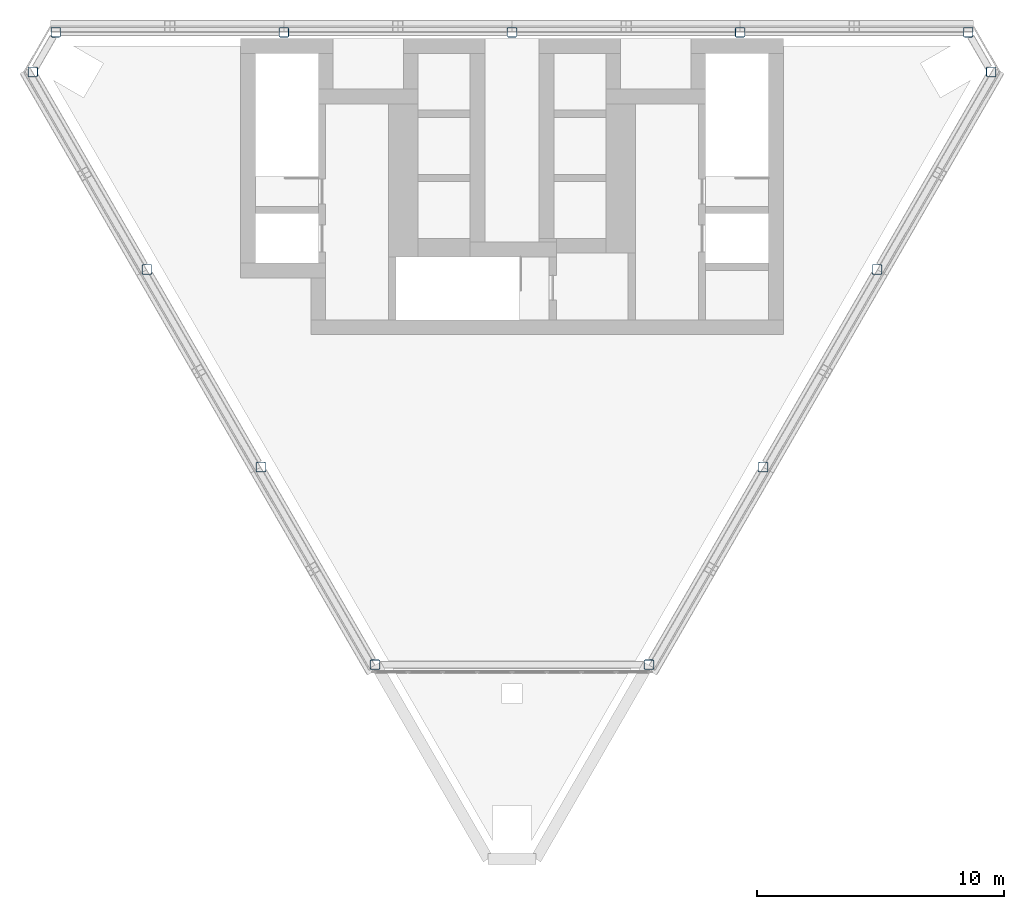
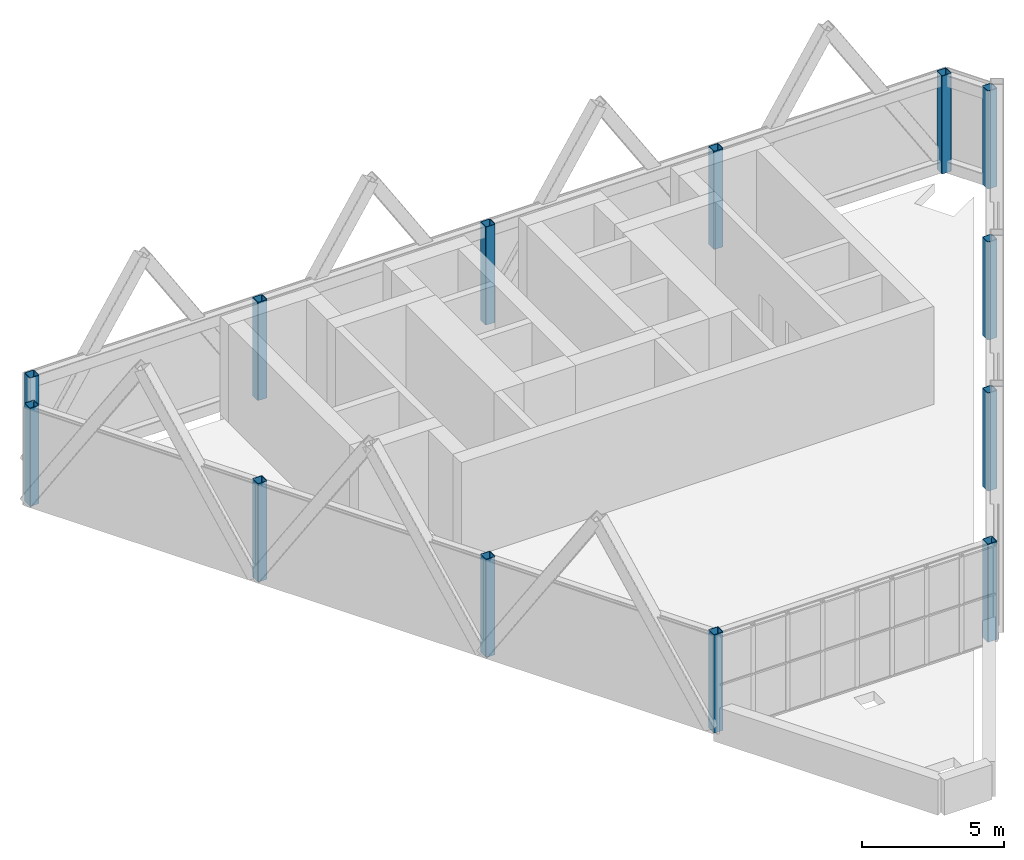
# One storey, part 1 of 5: 13 columns.
"""IFC4 building model written with IfcOpenShell, lengths in metres."""

from ifc_helpers import new_model, si_unit, direction, frame, origin, origin_2d, place, context, subcontext, project, spatial, hollow_rectangle, extrude, material, material_profile, profile_set, type_object, element, save


model = new_model("IFC4")

# Units and contexts
model_context = context("Model", 3, precision=1e-05, world=origin(), true_north=direction((0.0, 1.0)))
body_context = subcontext(model_context, "Body", "Model", "MODEL_VIEW")
ifc_project = project(units=[si_unit("LENGTHUNIT", "METRE"), si_unit("AREAUNIT", "SQUARE_METRE"), si_unit("VOLUMEUNIT", "CUBIC_METRE"), si_unit("PLANEANGLEUNIT", "RADIAN"), si_unit("MASSUNIT", "GRAM", prefix="KILO")], contexts=[model_context])

# Site, building, storey
site_placement = place(None, origin())
site = spatial("IfcSite", under=ifc_project, at=site_placement, CompositionType="ELEMENT")
building_placement = place(site_placement, origin())
building = spatial("IfcBuilding", under=site, at=building_placement, Name="Aloe Facet Convention Tower", CompositionType="ELEMENT")
storey_placement = place(building_placement, frame((0.0, 0.0, 285.5)))
storey = spatial("IfcBuildingStorey", under=building, at=storey_placement, Name="C1", CompositionType="ELEMENT", Elevation=285.5)

# Columns
ifc_material = material(Name="Steel S355, bronze oxide finish", Category="steel")
ifc_material_profile = material_profile(ifc_material, hollow_rectangle(XDim=0.39990234375, YDim=0.39990234375, WallThickness=0.02490234375, InnerFilletRadius=0.02490234375, OuterFilletRadius=0.050048828125, at=origin_2d()), Name="SHS 400x400x25")
ifc_profile_set = profile_set([ifc_material_profile], Name="Steel S355, bronze oxide finish")
column_type = type_object("IfcColumnType", Name="STW-CROWN FRAME POST", PredefinedType="COLUMN", material=ifc_profile_set)
for number, where, z_axis, x_axis, name in (
    (1, (98.486083984375, 134.800048828125, 0.0), (0.0, 0.0, 1.0), (1.0, 0.0, 0.0), "Crown frame post CF-P-N1-C1"),
    (2, (89.2431640625, 134.800048828125, 0.0), (0.0, 0.0, 1.0), (1.0, 0.0, 0.0), "Crown frame post CF-P-N2-C1"),
    (3, (80.0, 134.800048828125, 0.0), (0.0, 0.0, 1.0), (1.0, 0.0, 0.0), "Crown frame post CF-P-N3-C1"),
    (4, (70.7568359375, 134.800048828125, 0.0), (0.0, 0.0, 1.0), (1.0, 0.0, 0.0), "Crown frame post CF-P-N4-C1"),
    (5, (61.513916015625, 134.800048828125, 0.0), (0.0, 0.0, 1.0), (1.0, 0.0, 0.0), "Crown frame post CF-P-N5-C1"),
    (6, (60.587158203125, 133.19482421875, 0.0), (0.0, 0.0, 1.0), (1.0, 0.0, 0.0), "Crown frame post CF-P-WSW1-C1"),
    (7, (65.20849609375, 125.18994140625, 0.0), (0.0, 0.0, 1.0), (1.0, 0.0, 0.0), "Crown frame post CF-P-WSW2-C1"),
    (8, (69.830078125, 117.185302734375, 0.0), (0.0, 0.0, 1.0), (1.0, 0.0, 0.0), "Crown frame post CF-P-WSW3-C1"),
    (9, (74.45166015625, 109.180419921875, 0.0), (0.0, 0.0, 1.0), (1.0, 0.0, 0.0), "Crown frame post CF-P-WSW4-C1"),
    (10, (85.54833984375, 109.180419921875, 0.0), (0.0, 0.0, 1.0), (1.0, 0.0, 0.0), "Crown frame post CF-P-ESE2-C1"),
    (11, (90.169921875, 117.185302734375, 0.0), (0.0, 0.0, 1.0), (1.0, 0.0, 0.0), "Crown frame post CF-P-ESE3-C1"),
    (12, (94.79150390625, 125.18994140625, 0.0), (0.0, 0.0, 1.0), (1.0, 0.0, 0.0), "Crown frame post CF-P-ESE4-C1"),
    (13, (99.412841796875, 133.19482421875, 0.0), (0.0, 0.0, 1.0), (1.0, 0.0, 0.0), "Crown frame post CF-P-ESE5-C1"),
):
    element("IfcColumn", number, at=place(storey_placement, frame(where, z_axis=z_axis, x_axis=x_axis)), inside=storey, type_object=column_type, Name=name, PredefinedType="COLUMN", context=body_context, shape_type="SweptSolid", body=[
        extrude(hollow_rectangle(XDim=0.39990234375, YDim=0.39990234375, WallThickness=0.02490234375, InnerFilletRadius=0.02490234375, OuterFilletRadius=0.050048828125, at=origin_2d()), origin(), (0.0, 0.0, 1.0), 4.199951171875),
    ])

save(model, "model.ifc")
